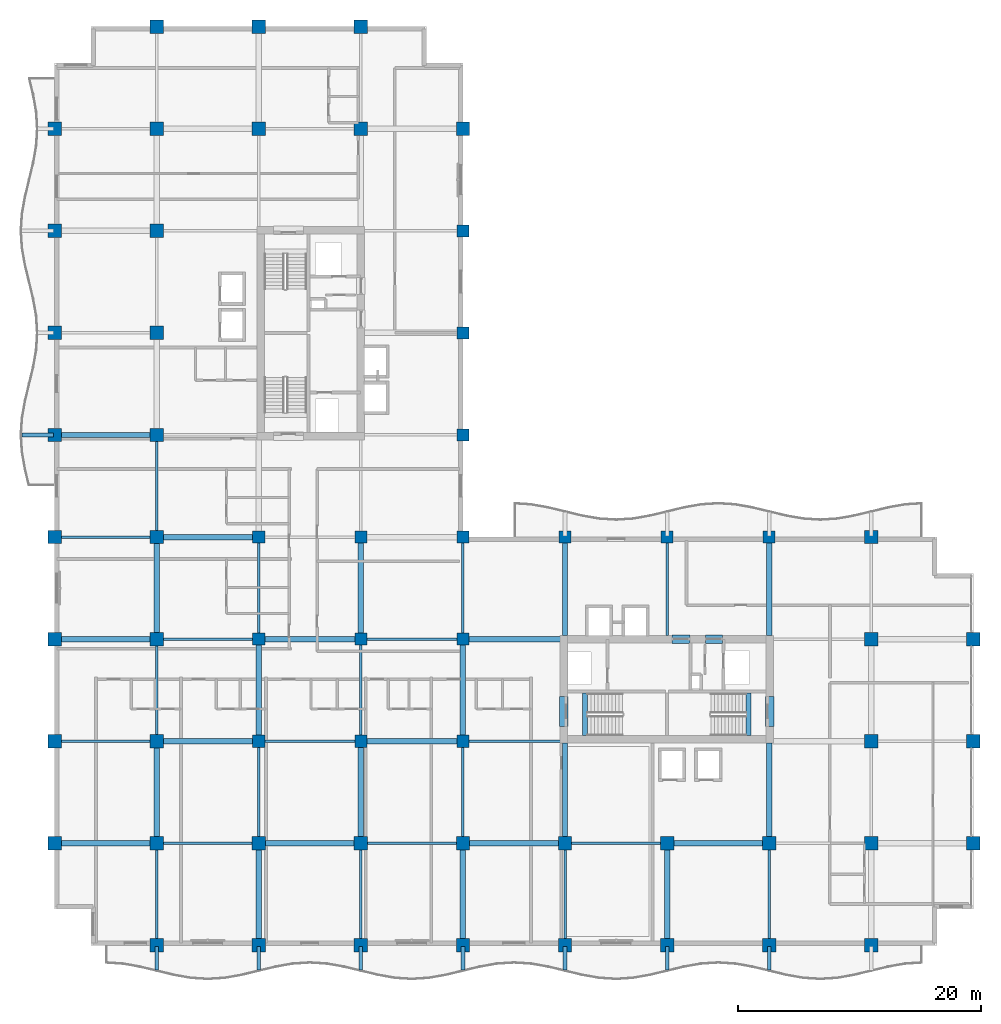
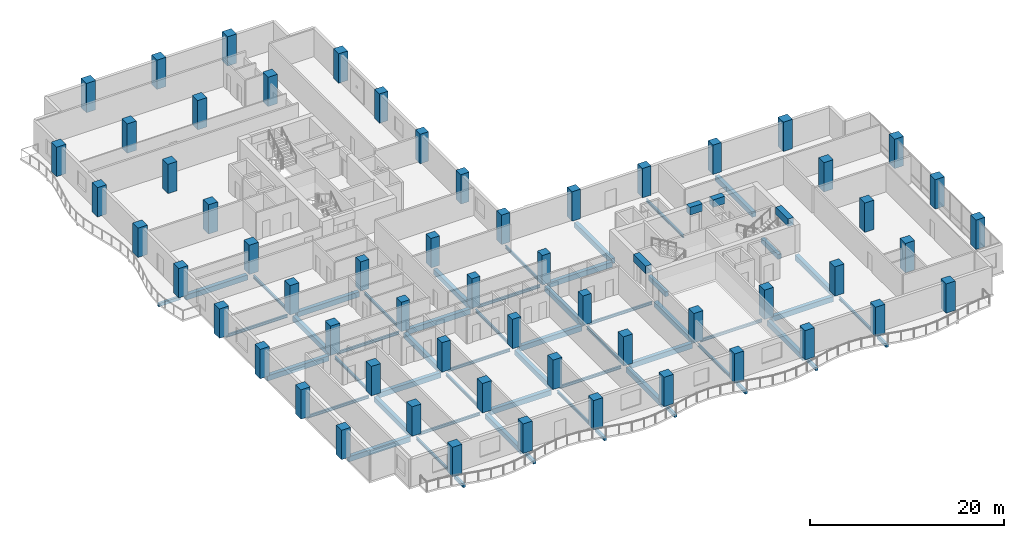
# One storey, part 1 of 21: 59 beams, 58 columns.
"""IFC4 building model written with IfcOpenShell, lengths in metres."""

from ifc_helpers import new_model, si_unit, direction, frame, origin, origin_2d, place, context, subcontext, project, spatial, rectangle, i_section, extrude, material, material_profile, profile_set, type_object, element, save


model = new_model("IFC4")

# Units and contexts
model_context = context("Model", 3, precision=1e-05, world=origin(), true_north=direction((0.0, 1.0)))
body_context = subcontext(model_context, "Body", "Model", "MODEL_VIEW")
ifc_project = project(units=[si_unit("LENGTHUNIT", "METRE"), si_unit("AREAUNIT", "SQUARE_METRE"), si_unit("VOLUMEUNIT", "CUBIC_METRE"), si_unit("PLANEANGLEUNIT", "RADIAN"), si_unit("MASSUNIT", "GRAM", prefix="KILO")], contexts=[model_context])

# Site, building, storey
site_placement = place(None, origin())
site = spatial("IfcSite", under=ifc_project, at=site_placement, CompositionType="ELEMENT")
building_placement = place(site_placement, origin())
building = spatial("IfcBuilding", under=site, at=building_placement, Name="Koriwani Terraces Tower", CompositionType="ELEMENT")
storey_placement = place(building_placement, frame((0.0, 0.0, 197.60009765625)))
storey = spatial("IfcBuildingStorey", under=building, at=storey_placement, Name="L48", CompositionType="ELEMENT", Elevation=197.60009765625)

# Columns
ifc_material_1 = material(Name="Concrete C50/60", Category="concrete")
ifc_material_profile_1 = material_profile(ifc_material_1, rectangle(XDim=1.0, YDim=1.0, at=origin_2d()), Name="Concrete C50/60", Category="LoadBearing")
ifc_profile_set_1 = profile_set([ifc_material_profile_1], Name="Concrete C50/60")
column_type_1 = type_object("IfcColumnType", Name="COL_RC_1000X1000", PredefinedType="COLUMN", material=ifc_profile_set_1)
for number, where, z_axis, x_axis, name in (
    (1, (16.800048828125, 16.800048828125, 0.0), (0.0, 0.0, 1.0), (1.0, 0.0, 0.0), "L48 Column 3/C"),
    (2, (16.800048828125, 25.199951171875, 0.0), (0.0, 0.0, 1.0), (1.0, 0.0, 0.0), "L48 Column 3/D"),
    (3, (16.800048828125, 33.60009765625, 0.0), (0.0, 0.0, 1.0), (1.0, 0.0, 0.0), "L48 Column 3/E"),
    (4, (25.199951171875, 16.800048828125, 0.0), (0.0, 0.0, 1.0), (1.0, 0.0, 0.0), "L48 Column 4/C"),
    (5, (25.199951171875, 25.199951171875, 0.0), (0.0, 0.0, 1.0), (1.0, 0.0, 0.0), "L48 Column 4/D"),
    (6, (25.199951171875, 33.60009765625, 0.0), (0.0, 0.0, 1.0), (1.0, 0.0, 0.0), "L48 Column 4/E"),
    (7, (33.60009765625, 16.800048828125, 0.0), (0.0, 0.0, 1.0), (1.0, 0.0, 0.0), "L48 Column 5/C"),
    (8, (33.60009765625, 25.199951171875, 0.0), (0.0, 0.0, 1.0), (1.0, 0.0, 0.0), "L48 Column 5/D"),
    (9, (33.60009765625, 33.60009765625, 0.0), (0.0, 0.0, 1.0), (1.0, 0.0, 0.0), "L48 Column 5/E"),
    (10, (33.60009765625, 42.0, 0.0), (0.0, 0.0, 1.0), (1.0, 0.0, 0.0), "L48 Column 5/F"),
    (11, (33.60009765625, 50.39990234375, 0.0), (0.0, 0.0, 1.0), (1.0, 0.0, 0.0), "L48 Column 5/G"),
    (12, (33.60009765625, 58.800048828125, 0.0), (0.0, 0.0, 1.0), (1.0, 0.0, 0.0), "L48 Column 5/H"),
    (13, (42.0, 33.60009765625, 0.0), (0.0, 0.0, 1.0), (1.0, 0.0, 0.0), "L48 Column 6/E"),
    (14, (50.39990234375, 33.60009765625, 0.0), (0.0, 0.0, 1.0), (1.0, 0.0, 0.0), "L48 Column 7/E"),
    (15, (58.800048828125, 33.60009765625, 0.0), (0.0, 0.0, 1.0), (1.0, 0.0, 0.0), "L48 Column 8/E"),
):
    element("IfcColumn", number, at=place(storey_placement, frame(where, z_axis=z_axis, x_axis=x_axis)), inside=storey, type_object=column_type_1, Name=name, PredefinedType="COLUMN", context=body_context, shape_type="SweptSolid", body=[
        extrude(rectangle(XDim=1.0, YDim=1.0, at=origin_2d()), origin(), (0.0, 0.0, 1.0), 3.699951171875),
    ])
ifc_material_profile_2 = material_profile(ifc_material_1, rectangle(XDim=1.10009765625, YDim=1.10009765625, at=origin_2d()), Name="Concrete C50/60", Category="LoadBearing")
ifc_profile_set_2 = profile_set([ifc_material_profile_2], Name="Concrete C50/60")
column_type_2 = type_object("IfcColumnType", Name="COL_RC_1100X1100", PredefinedType="COLUMN", material=ifc_profile_set_2)
for number, where, z_axis, x_axis, name in (
    (16, (0.0, 8.39990234375, 0.0), (0.0, 0.0, 1.0), (1.0, 0.0, 0.0), "L48 Column 1/B"),
    (17, (0.0, 16.800048828125, 0.0), (0.0, 0.0, 1.0), (1.0, 0.0, 0.0), "L48 Column 1/C"),
    (18, (0.0, 25.199951171875, 0.0), (0.0, 0.0, 1.0), (1.0, 0.0, 0.0), "L48 Column 1/D"),
    (19, (0.0, 33.60009765625, 0.0), (0.0, 0.0, 1.0), (1.0, 0.0, 0.0), "L48 Column 1/E"),
    (20, (0.0, 42.0, 0.0), (0.0, 0.0, 1.0), (1.0, 0.0, 0.0), "L48 Column 1/F"),
    (21, (0.0, 50.39990234375, 0.0), (0.0, 0.0, 1.0), (1.0, 0.0, 0.0), "L48 Column 1/G"),
    (22, (0.0, 58.800048828125, 0.0), (0.0, 0.0, 1.0), (1.0, 0.0, 0.0), "L48 Column 1/H"),
    (23, (0.0, 67.199951171875, 0.0), (0.0, 0.0, 1.0), (1.0, 0.0, 0.0), "L48 Column 1/I"),
    (24, (8.39990234375, 0.0, 0.0), (0.0, 0.0, 1.0), (1.0, 0.0, 0.0), "L48 Column 2/A"),
    (25, (8.39990234375, 8.39990234375, 0.0), (0.0, 0.0, 1.0), (1.0, 0.0, 0.0), "L48 Column 2/B"),
    (26, (8.39990234375, 16.800048828125, 0.0), (0.0, 0.0, 1.0), (1.0, 0.0, 0.0), "L48 Column 2/C"),
    (27, (8.39990234375, 25.199951171875, 0.0), (0.0, 0.0, 1.0), (1.0, 0.0, 0.0), "L48 Column 2/D"),
    (28, (8.39990234375, 33.60009765625, 0.0), (0.0, 0.0, 1.0), (1.0, 0.0, 0.0), "L48 Column 2/E"),
    (29, (8.39990234375, 42.0, 0.0), (0.0, 0.0, 1.0), (1.0, 0.0, 0.0), "L48 Column 2/F"),
    (30, (8.39990234375, 50.39990234375, 0.0), (0.0, 0.0, 1.0), (1.0, 0.0, 0.0), "L48 Column 2/G"),
    (31, (8.39990234375, 58.800048828125, 0.0), (0.0, 0.0, 1.0), (1.0, 0.0, 0.0), "L48 Column 2/H"),
    (32, (8.39990234375, 67.199951171875, 0.0), (0.0, 0.0, 1.0), (1.0, 0.0, 0.0), "L48 Column 2/I"),
    (33, (8.39990234375, 75.60009765625, 0.0), (0.0, 0.0, 1.0), (1.0, 0.0, 0.0), "L48 Column 2/J"),
    (34, (16.800048828125, 0.0, 0.0), (0.0, 0.0, 1.0), (1.0, 0.0, 0.0), "L48 Column 3/A"),
    (35, (16.800048828125, 8.39990234375, 0.0), (0.0, 0.0, 1.0), (1.0, 0.0, 0.0), "L48 Column 3/B"),
    (36, (16.800048828125, 67.199951171875, 0.0), (0.0, 0.0, 1.0), (1.0, 0.0, 0.0), "L48 Column 3/I"),
    (37, (16.800048828125, 75.60009765625, 0.0), (0.0, 0.0, 1.0), (1.0, 0.0, 0.0), "L48 Column 3/J"),
    (38, (25.199951171875, 0.0, 0.0), (0.0, 0.0, 1.0), (1.0, 0.0, 0.0), "L48 Column 4/A"),
    (39, (25.199951171875, 8.39990234375, 0.0), (0.0, 0.0, 1.0), (1.0, 0.0, 0.0), "L48 Column 4/B"),
    (40, (25.199951171875, 67.199951171875, 0.0), (0.0, 0.0, 1.0), (1.0, 0.0, 0.0), "L48 Column 4/I"),
    (41, (25.199951171875, 75.60009765625, 0.0), (0.0, 0.0, 1.0), (1.0, 0.0, 0.0), "L48 Column 4/J"),
    (42, (33.60009765625, 0.0, 0.0), (0.0, 0.0, 1.0), (1.0, 0.0, 0.0), "L48 Column 5/A"),
    (43, (33.60009765625, 8.39990234375, 0.0), (0.0, 0.0, 1.0), (1.0, 0.0, 0.0), "L48 Column 5/B"),
    (44, (33.60009765625, 67.199951171875, 0.0), (0.0, 0.0, 1.0), (1.0, 0.0, 0.0), "L48 Column 5/I"),
    (45, (42.0, 0.0, 0.0), (0.0, 0.0, 1.0), (1.0, 0.0, 0.0), "L48 Column 6/A"),
    (46, (42.0, 8.39990234375, 0.0), (0.0, 0.0, 1.0), (1.0, 0.0, 0.0), "L48 Column 6/B"),
    (47, (50.39990234375, 0.0, 0.0), (0.0, 0.0, 1.0), (1.0, 0.0, 0.0), "L48 Column 7/A"),
    (48, (50.39990234375, 8.39990234375, 0.0), (0.0, 0.0, 1.0), (1.0, 0.0, 0.0), "L48 Column 7/B"),
    (49, (58.800048828125, 0.0, 0.0), (0.0, 0.0, 1.0), (1.0, 0.0, 0.0), "L48 Column 8/A"),
    (50, (58.800048828125, 8.39990234375, 0.0), (0.0, 0.0, 1.0), (1.0, 0.0, 0.0), "L48 Column 8/B"),
    (51, (67.199951171875, 0.0, 0.0), (0.0, 0.0, 1.0), (1.0, 0.0, 0.0), "L48 Column 9/A"),
    (52, (67.199951171875, 8.39990234375, 0.0), (0.0, 0.0, 1.0), (1.0, 0.0, 0.0), "L48 Column 9/B"),
    (53, (67.199951171875, 16.800048828125, 0.0), (0.0, 0.0, 1.0), (1.0, 0.0, 0.0), "L48 Column 9/C"),
    (54, (67.199951171875, 25.199951171875, 0.0), (0.0, 0.0, 1.0), (1.0, 0.0, 0.0), "L48 Column 9/D"),
    (55, (67.199951171875, 33.60009765625, 0.0), (0.0, 0.0, 1.0), (1.0, 0.0, 0.0), "L48 Column 9/E"),
    (56, (75.60009765625, 8.39990234375, 0.0), (0.0, 0.0, 1.0), (1.0, 0.0, 0.0), "L48 Column 10/B"),
    (57, (75.60009765625, 16.800048828125, 0.0), (0.0, 0.0, 1.0), (1.0, 0.0, 0.0), "L48 Column 10/C"),
    (58, (75.60009765625, 25.199951171875, 0.0), (0.0, 0.0, 1.0), (1.0, 0.0, 0.0), "L48 Column 10/D"),
):
    element("IfcColumn", number, at=place(storey_placement, frame(where, z_axis=z_axis, x_axis=x_axis)), inside=storey, type_object=column_type_2, Name=name, PredefinedType="COLUMN", context=body_context, shape_type="SweptSolid", body=[
        extrude(rectangle(XDim=1.10009765625, YDim=1.10009765625, at=origin_2d()), origin(), (0.0, 0.0, 1.0), 3.699951171875),
    ])

# Beams
ifc_material_2 = material(Name="Concrete C40/50", Category="concrete")
ifc_material_profile_3 = material_profile(ifc_material_2, rectangle(XDim=0.300048828125, YDim=0.39990234375, at=origin_2d()), Name="Concrete C40/50", Category="LoadBearing")
ifc_profile_set_3 = profile_set([ifc_material_profile_3], Name="Concrete C40/50")
beam_type_1 = type_object("IfcBeamType", Name="BEAM_RC_BALCONY_RIB_300X400", PredefinedType="JOIST", material=ifc_profile_set_3)
for number, where, z_axis, x_axis, name in (
    (59, (8.39990234375, -2.02490234375, -0.43017578125), (0.0, 1.0, 0.0), (-1.0, 0.0, 0.0), "L48 Balcony Bracket Rib S-1"),
    (60, (16.800048828125, -2.02490234375, -0.43017578125), (0.0, 1.0, 0.0), (-1.0, 0.0, 0.0), "L48 Balcony Bracket Rib S-2"),
    (61, (25.199951171875, -2.02490234375, -0.43017578125), (0.0, 1.0, 0.0), (-1.0, 0.0, 0.0), "L48 Balcony Bracket Rib S-3"),
    (62, (33.60009765625, -2.02490234375, -0.43017578125), (0.0, 1.0, 0.0), (-1.0, 0.0, 0.0), "L48 Balcony Bracket Rib S-4"),
    (63, (42.0, -2.02490234375, -0.43017578125), (0.0, 1.0, 0.0), (-1.0, 0.0, 0.0), "L48 Balcony Bracket Rib S-5"),
    (64, (50.39990234375, -2.02490234375, -0.43017578125), (0.0, 1.0, 0.0), (-1.0, 0.0, 0.0), "L48 Balcony Bracket Rib S-6"),
    (65, (58.800048828125, -2.02490234375, -0.43017578125), (0.0, 1.0, 0.0), (-1.0, 0.0, 0.0), "L48 Balcony Bracket Rib S-7"),
):
    element("IfcBeam", number, at=place(storey_placement, frame(where, z_axis=z_axis, x_axis=x_axis)), inside=storey, type_object=beam_type_1, Name=name, PredefinedType="JOIST", context=body_context, shape_type="SweptSolid", body=[
        extrude(rectangle(XDim=0.300048828125, YDim=0.39990234375, at=origin_2d()), origin(), (0.0, 0.0, 1.0), 1.9248046875),
    ])
beam_1_placement = place(storey_placement, frame((-2.699951171875, 42.0, -0.43017578125), z_axis=(1.0, 0.0, 0.0), x_axis=(0.0, 1.0, 0.0)))
element("IfcBeam", 66, at=beam_1_placement, inside=storey, type_object=beam_type_1, Name="L48 Balcony Bracket Rib W-1", PredefinedType="JOIST", context=body_context, shape_type="SweptSolid", body=[
    extrude(rectangle(XDim=0.300048828125, YDim=0.39990234375, at=origin_2d()), origin(), (0.0, 0.0, 1.0), 2.599853515625),
])
ifc_material_3 = material(Name="Concrete C60/75", Category="concrete")
ifc_material_profile_4 = material_profile(ifc_material_3, rectangle(XDim=0.699951171875, YDim=0.949951171875, at=origin_2d()), Name="Concrete C60/75", Category="LoadBearing")
ifc_profile_set_4 = profile_set([ifc_material_profile_4], Name="Concrete C60/75")
beam_type_2 = type_object("IfcBeamType", Name="BEAM_RC_COUPLING_700X950", PredefinedType="LINTEL", material=ifc_profile_set_4)
beam_2_placement = place(storey_placement, frame((50.800048828125, 25.199951171875, 2.994873046875), z_axis=(1.0, 0.0, 0.0), x_axis=(0.0, 1.0, 0.0)))
element("IfcBeam", 67, at=beam_2_placement, inside=storey, type_object=beam_type_2, Name="L48 Core Coupling Lintel Beam EN1", PredefinedType="LINTEL", context=body_context, shape_type="SweptSolid", body=[
    extrude(rectangle(XDim=0.699951171875, YDim=0.949951171875, at=origin_2d()), origin(), (0.0, 0.0, 1.0), 1.47998046875),
])
beam_3_placement = place(storey_placement, frame((53.550048828125, 25.199951171875, 2.994873046875), z_axis=(1.0, 0.0, 0.0), x_axis=(0.0, 1.0, 0.0)))
element("IfcBeam", 68, at=beam_3_placement, inside=storey, type_object=beam_type_2, Name="L48 Core Coupling Lintel Beam EN2", PredefinedType="LINTEL", context=body_context, shape_type="SweptSolid", body=[
    extrude(rectangle(XDim=0.699951171875, YDim=0.949951171875, at=origin_2d()), origin(), (0.0, 0.0, 1.0), 1.39990234375),
])
for number, where, z_axis, x_axis, name in (
    (69, (41.89990234375, 18.0, 2.994873046875), (0.0, 1.0, 0.0), (-1.0, 0.0, 0.0), "L48 Core Coupling Lintel Beam EW"),
    (70, (58.85009765625, 18.0, 2.994873046875), (0.0, 1.0, 0.0), (-1.0, 0.0, 0.0), "L48 Core Coupling Lintel Beam EE"),
):
    element("IfcBeam", number, at=place(storey_placement, frame(where, z_axis=z_axis, x_axis=x_axis)), inside=storey, type_object=beam_type_2, Name=name, PredefinedType="LINTEL", context=body_context, shape_type="SweptSolid", body=[
        extrude(rectangle(XDim=0.699951171875, YDim=0.949951171875, at=origin_2d()), origin(), (0.0, 0.0, 1.0), 2.5),
    ])
ifc_material_profile_5 = material_profile(ifc_material_2, rectangle(XDim=0.39990234375, YDim=0.60009765625, at=origin_2d()), Name="Concrete C40/50", Category="LoadBearing")
ifc_profile_set_5 = profile_set([ifc_material_profile_5], Name="Concrete C40/50")
beam_type_3 = type_object("IfcBeamType", Name="BEAM_RC_GRID_400X600", PredefinedType="BEAM", material=ifc_profile_set_5)
for number, where, z_axis, x_axis, name in (
    (71, (43.655029296875, 17.25, -0.300048828125), (0.0, 1.0, 0.0), (-1.0, 0.0, 0.0), "L48 Stairwell Header Trimmer Beam ST-E1"),
    (72, (57.094970703125, 17.25, -0.300048828125), (0.0, 1.0, 0.0), (-1.0, 0.0, 0.0), "L48 Stairwell Header Trimmer Beam ST-E2"),
):
    element("IfcBeam", number, at=place(storey_placement, frame(where, z_axis=z_axis, x_axis=x_axis)), inside=storey, type_object=beam_type_3, Name=name, PredefinedType="BEAM", context=body_context, shape_type="SweptSolid", body=[
        extrude(rectangle(XDim=0.39990234375, YDim=0.60009765625, at=origin_2d()), origin(), (0.0, 0.0, 1.0), 3.5),
    ])
ifc_material_profile_6 = material_profile(ifc_material_1, rectangle(XDim=0.449951171875, YDim=0.64990234375, at=origin_2d()), Name="Concrete C50/60", Category="LoadBearing")
ifc_profile_set_6 = profile_set([ifc_material_profile_6], Name="Concrete C50/60")
beam_type_4 = type_object("IfcBeamType", Name="BEAM_RC_GRID_450X650", PredefinedType="BEAM", material=ifc_profile_set_6)
beam_4_placement = place(storey_placement, frame((0.530029296875, 8.39990234375, -0.55517578125), z_axis=(1.0, 0.0, 0.0), x_axis=(0.0, 1.0, 0.0)))
element("IfcBeam", 73, at=beam_4_placement, inside=storey, type_object=beam_type_4, Name="L48 Grid Beam B (0.0-8.4m)", PredefinedType="BEAM", context=body_context, shape_type="SweptSolid", body=[
    extrude(rectangle(XDim=0.449951171875, YDim=0.64990234375, at=origin_2d()), origin(), (0.0, 0.0, 1.0), 7.340087890625),
])
beam_5_placement = place(storey_placement, frame((17.330078125, 8.39990234375, -0.55517578125), z_axis=(1.0, 0.0, 0.0), x_axis=(0.0, 1.0, 0.0)))
element("IfcBeam", 74, at=beam_5_placement, inside=storey, type_object=beam_type_4, Name="L48 Grid Beam B (16.8-25.2m)", PredefinedType="BEAM", context=body_context, shape_type="SweptSolid", body=[
    extrude(rectangle(XDim=0.449951171875, YDim=0.64990234375, at=origin_2d()), origin(), (0.0, 0.0, 1.0), 7.33984375),
])
for number, where, z_axis, x_axis, name in (
    (75, (34.1298828125, 8.39990234375, -0.55517578125), (1.0, 0.0, 0.0), (0.0, 1.0, 0.0), "L48 Grid Beam B (33.6-42.0m)"),
    (76, (50.929931640625, 8.39990234375, -0.55517578125), (1.0, 0.0, 0.0), (0.0, 1.0, 0.0), "L48 Grid Beam B (50.4-58.8m)"),
):
    element("IfcBeam", number, at=place(storey_placement, frame(where, z_axis=z_axis, x_axis=x_axis)), inside=storey, type_object=beam_type_4, Name=name, PredefinedType="BEAM", context=body_context, shape_type="SweptSolid", body=[
        extrude(rectangle(XDim=0.449951171875, YDim=0.64990234375, at=origin_2d()), origin(), (0.0, 0.0, 1.0), 7.340087890625),
    ])
beam_6_placement = place(storey_placement, frame((8.929931640625, 16.800048828125, -0.55517578125), z_axis=(1.0, 0.0, 0.0), x_axis=(0.0, 1.0, 0.0)))
element("IfcBeam", 77, at=beam_6_placement, inside=storey, type_object=beam_type_4, Name="L48 Grid Beam C (8.4-16.8m)", PredefinedType="BEAM", context=body_context, shape_type="SweptSolid", body=[
    extrude(rectangle(XDim=0.449951171875, YDim=0.64990234375, at=origin_2d()), origin(), (0.0, 0.0, 1.0), 7.39013671875),
])
beam_7_placement = place(storey_placement, frame((25.679931640625, 16.800048828125, -0.55517578125), z_axis=(1.0, 0.0, 0.0), x_axis=(0.0, 1.0, 0.0)))
element("IfcBeam", 78, at=beam_7_placement, inside=storey, type_object=beam_type_4, Name="L48 Grid Beam C (25.2-33.6m)", PredefinedType="BEAM", context=body_context, shape_type="SweptSolid", body=[
    extrude(rectangle(XDim=0.449951171875, YDim=0.64990234375, at=origin_2d()), origin(), (0.0, 0.0, 1.0), 7.440185546875),
])
beam_8_placement = place(storey_placement, frame((0.530029296875, 25.199951171875, -0.55517578125), z_axis=(1.0, 0.0, 0.0), x_axis=(0.0, 1.0, 0.0)))
element("IfcBeam", 79, at=beam_8_placement, inside=storey, type_object=beam_type_4, Name="L48 Grid Beam D (0.0-8.4m)", PredefinedType="BEAM", context=body_context, shape_type="SweptSolid", body=[
    extrude(rectangle(XDim=0.449951171875, YDim=0.64990234375, at=origin_2d()), origin(), (0.0, 0.0, 1.0), 7.340087890625),
])
beam_9_placement = place(storey_placement, frame((17.280029296875, 25.199951171875, -0.55517578125), z_axis=(1.0, 0.0, 0.0), x_axis=(0.0, 1.0, 0.0)))
element("IfcBeam", 80, at=beam_9_placement, inside=storey, type_object=beam_type_4, Name="L48 Grid Beam D (16.8-25.2m)", PredefinedType="BEAM", context=body_context, shape_type="SweptSolid", body=[
    extrude(rectangle(XDim=0.449951171875, YDim=0.64990234375, at=origin_2d()), origin(), (0.0, 0.0, 1.0), 7.43994140625),
])
beam_10_placement = place(storey_placement, frame((34.080078125, 25.199951171875, -0.55517578125), z_axis=(1.0, 0.0, 0.0), x_axis=(0.0, 1.0, 0.0)))
element("IfcBeam", 81, at=beam_10_placement, inside=storey, type_object=beam_type_4, Name="L48 Grid Beam D (33.6-42.0m)", PredefinedType="BEAM", context=body_context, shape_type="SweptSolid", body=[
    extrude(rectangle(XDim=0.449951171875, YDim=0.64990234375, at=origin_2d()), origin(), (0.0, 0.0, 1.0), 7.5400390625),
])
beam_11_placement = place(storey_placement, frame((8.929931640625, 33.60009765625, -0.55517578125), z_axis=(1.0, 0.0, 0.0), x_axis=(0.0, 1.0, 0.0)))
element("IfcBeam", 82, at=beam_11_placement, inside=storey, type_object=beam_type_4, Name="L48 Grid Beam E (8.4-16.8m)", PredefinedType="BEAM", context=body_context, shape_type="SweptSolid", body=[
    extrude(rectangle(XDim=0.449951171875, YDim=0.64990234375, at=origin_2d()), origin(), (0.0, 0.0, 1.0), 7.39013671875),
])
for number, where, z_axis, x_axis, name in (
    (83, (0.530029296875, 42.0, -0.55517578125), (1.0, 0.0, 0.0), (0.0, 1.0, 0.0), "L48 Grid Beam F (0.0-8.4m)"),
    (84, (8.39990234375, 8.929931640625, -0.55517578125), (0.0, 1.0, 0.0), (-1.0, 0.0, 0.0), "L48 Grid Beam 2 (8.4-16.8m)"),
    (85, (8.39990234375, 25.72998046875, -0.55517578125), (0.0, 1.0, 0.0), (-1.0, 0.0, 0.0), "L48 Grid Beam 2 (25.2-33.6m)"),
    (86, (16.800048828125, 0.530029296875, -0.55517578125), (0.0, 1.0, 0.0), (-1.0, 0.0, 0.0), "L48 Grid Beam 3 (0.0-8.4m)"),
):
    element("IfcBeam", number, at=place(storey_placement, frame(where, z_axis=z_axis, x_axis=x_axis)), inside=storey, type_object=beam_type_4, Name=name, PredefinedType="BEAM", context=body_context, shape_type="SweptSolid", body=[
        extrude(rectangle(XDim=0.449951171875, YDim=0.64990234375, at=origin_2d()), origin(), (0.0, 0.0, 1.0), 7.340087890625),
    ])
beam_12_placement = place(storey_placement, frame((16.800048828125, 17.280029296875, -0.55517578125), z_axis=(0.0, 1.0, 0.0), x_axis=(-1.0, 0.0, 0.0)))
element("IfcBeam", 87, at=beam_12_placement, inside=storey, type_object=beam_type_4, Name="L48 Grid Beam 3 (16.8-25.2m)", PredefinedType="BEAM", context=body_context, shape_type="SweptSolid", body=[
    extrude(rectangle(XDim=0.449951171875, YDim=0.64990234375, at=origin_2d()), origin(), (0.0, 0.0, 1.0), 7.43994140625),
])
beam_13_placement = place(storey_placement, frame((25.199951171875, 8.929931640625, -0.55517578125), z_axis=(0.0, 1.0, 0.0), x_axis=(-1.0, 0.0, 0.0)))
element("IfcBeam", 88, at=beam_13_placement, inside=storey, type_object=beam_type_4, Name="L48 Grid Beam 4 (8.4-16.8m)", PredefinedType="BEAM", context=body_context, shape_type="SweptSolid", body=[
    extrude(rectangle(XDim=0.449951171875, YDim=0.64990234375, at=origin_2d()), origin(), (0.0, 0.0, 1.0), 7.39013671875),
])
beam_14_placement = place(storey_placement, frame((25.199951171875, 25.679931640625, -0.55517578125), z_axis=(0.0, 1.0, 0.0), x_axis=(-1.0, 0.0, 0.0)))
element("IfcBeam", 89, at=beam_14_placement, inside=storey, type_object=beam_type_4, Name="L48 Grid Beam 4 (25.2-33.6m)", PredefinedType="BEAM", context=body_context, shape_type="SweptSolid", body=[
    extrude(rectangle(XDim=0.449951171875, YDim=0.64990234375, at=origin_2d()), origin(), (0.0, 0.0, 1.0), 7.440185546875),
])
beam_15_placement = place(storey_placement, frame((33.60009765625, 0.530029296875, -0.55517578125), z_axis=(0.0, 1.0, 0.0), x_axis=(-1.0, 0.0, 0.0)))
element("IfcBeam", 90, at=beam_15_placement, inside=storey, type_object=beam_type_4, Name="L48 Grid Beam 5 (0.0-8.4m)", PredefinedType="BEAM", context=body_context, shape_type="SweptSolid", body=[
    extrude(rectangle(XDim=0.449951171875, YDim=0.64990234375, at=origin_2d()), origin(), (0.0, 0.0, 1.0), 7.340087890625),
])
beam_16_placement = place(storey_placement, frame((33.60009765625, 17.280029296875, -0.55517578125), z_axis=(0.0, 1.0, 0.0), x_axis=(-1.0, 0.0, 0.0)))
element("IfcBeam", 91, at=beam_16_placement, inside=storey, type_object=beam_type_4, Name="L48 Grid Beam 5 (16.8-25.2m)", PredefinedType="BEAM", context=body_context, shape_type="SweptSolid", body=[
    extrude(rectangle(XDim=0.449951171875, YDim=0.64990234375, at=origin_2d()), origin(), (0.0, 0.0, 1.0), 7.43994140625),
])
beam_17_placement = place(storey_placement, frame((42.0, 8.929931640625, -0.55517578125), z_axis=(0.0, 1.0, 0.0), x_axis=(-1.0, 0.0, 0.0)))
element("IfcBeam", 92, at=beam_17_placement, inside=storey, type_object=beam_type_4, Name="L48 Grid Beam 6 (8.4-16.8m)", PredefinedType="BEAM", context=body_context, shape_type="SweptSolid", body=[
    extrude(rectangle(XDim=0.449951171875, YDim=0.64990234375, at=origin_2d()), origin(), (0.0, 0.0, 1.0), 7.739990234375),
])
beam_18_placement = place(storey_placement, frame((42.0, 25.47998046875, -0.55517578125), z_axis=(0.0, 1.0, 0.0), x_axis=(-1.0, 0.0, 0.0)))
element("IfcBeam", 93, at=beam_18_placement, inside=storey, type_object=beam_type_4, Name="L48 Grid Beam 6 (25.2-33.6m)", PredefinedType="BEAM", context=body_context, shape_type="SweptSolid", body=[
    extrude(rectangle(XDim=0.449951171875, YDim=0.64990234375, at=origin_2d()), origin(), (0.0, 0.0, 1.0), 7.64013671875),
])
beam_19_placement = place(storey_placement, frame((50.39990234375, 0.530029296875, -0.55517578125), z_axis=(0.0, 1.0, 0.0), x_axis=(-1.0, 0.0, 0.0)))
element("IfcBeam", 94, at=beam_19_placement, inside=storey, type_object=beam_type_4, Name="L48 Grid Beam 7 (0.0-8.4m)", PredefinedType="BEAM", context=body_context, shape_type="SweptSolid", body=[
    extrude(rectangle(XDim=0.449951171875, YDim=0.64990234375, at=origin_2d()), origin(), (0.0, 0.0, 1.0), 7.340087890625),
])
beam_20_placement = place(storey_placement, frame((58.800048828125, 8.929931640625, -0.55517578125), z_axis=(0.0, 1.0, 0.0), x_axis=(-1.0, 0.0, 0.0)))
element("IfcBeam", 95, at=beam_20_placement, inside=storey, type_object=beam_type_4, Name="L48 Grid Beam 8 (8.4-16.8m)", PredefinedType="BEAM", context=body_context, shape_type="SweptSolid", body=[
    extrude(rectangle(XDim=0.449951171875, YDim=0.64990234375, at=origin_2d()), origin(), (0.0, 0.0, 1.0), 7.739990234375),
])
beam_21_placement = place(storey_placement, frame((58.800048828125, 25.47998046875, -0.55517578125), z_axis=(0.0, 1.0, 0.0), x_axis=(-1.0, 0.0, 0.0)))
element("IfcBeam", 96, at=beam_21_placement, inside=storey, type_object=beam_type_4, Name="L48 Grid Beam 8 (25.2-33.6m)", PredefinedType="BEAM", context=body_context, shape_type="SweptSolid", body=[
    extrude(rectangle(XDim=0.449951171875, YDim=0.64990234375, at=origin_2d()), origin(), (0.0, 0.0, 1.0), 7.64013671875),
])
ifc_material_4 = material(Name="Steel ASTM A572 Grade 50", Category="steel")
ifc_material_profile_7 = material_profile(ifc_material_4, i_section(OverallWidth=0.205078125, OverallDepth=0.35400390625, WebThickness=0.009521484375, FlangeThickness=0.016845703125, at=origin_2d()), Name="Steel ASTM A572 Grade 50", Category="LoadBearing")
ifc_profile_set_7 = profile_set([ifc_material_profile_7], Name="Steel ASTM A572 Grade 50")
beam_type_5 = type_object("IfcBeamType", Name="STEEL_BEAM_W360X79", PredefinedType="JOIST", material=ifc_profile_set_7)
for number, where, z_axis, x_axis, name in (
    (97, (8.929931640625, 8.39990234375, -0.406982421875), (1.0, 0.0, 0.0), (0.0, 1.0, 0.0), "L48 Grid Beam B (8.4-16.8m)"),
    (98, (25.72998046875, 8.39990234375, -0.406982421875), (1.0, 0.0, 0.0), (0.0, 1.0, 0.0), "L48 Grid Beam B (25.2-33.6m)"),
    (99, (42.530029296875, 8.39990234375, -0.406982421875), (1.0, 0.0, 0.0), (0.0, 1.0, 0.0), "L48 Grid Beam B (42.0-50.4m)"),
    (100, (0.530029296875, 16.800048828125, -0.406982421875), (1.0, 0.0, 0.0), (0.0, 1.0, 0.0), "L48 Grid Beam C (0.0-8.4m)"),
):
    element("IfcBeam", number, at=place(storey_placement, frame(where, z_axis=z_axis, x_axis=x_axis)), inside=storey, type_object=beam_type_5, Name=name, PredefinedType="JOIST", context=body_context, shape_type="SweptSolid", body=[
        extrude(i_section(OverallWidth=0.205078125, OverallDepth=0.35400390625, WebThickness=0.009521484375, FlangeThickness=0.016845703125, at=origin_2d()), origin(), (0.0, 0.0, 1.0), 7.340087890625),
    ])
beam_22_placement = place(storey_placement, frame((17.280029296875, 16.800048828125, -0.406982421875), z_axis=(1.0, 0.0, 0.0), x_axis=(0.0, 1.0, 0.0)))
element("IfcBeam", 101, at=beam_22_placement, inside=storey, type_object=beam_type_5, Name="L48 Grid Beam C (16.8-25.2m)", PredefinedType="JOIST", context=body_context, shape_type="SweptSolid", body=[
    extrude(i_section(OverallWidth=0.205078125, OverallDepth=0.35400390625, WebThickness=0.009521484375, FlangeThickness=0.016845703125, at=origin_2d()), origin(), (0.0, 0.0, 1.0), 7.43994140625),
])
beam_23_placement = place(storey_placement, frame((34.080078125, 16.800048828125, -0.406982421875), z_axis=(1.0, 0.0, 0.0), x_axis=(0.0, 1.0, 0.0)))
element("IfcBeam", 102, at=beam_23_placement, inside=storey, type_object=beam_type_5, Name="L48 Grid Beam C (33.6-42.0m)", PredefinedType="JOIST", context=body_context, shape_type="SweptSolid", body=[
    extrude(i_section(OverallWidth=0.205078125, OverallDepth=0.35400390625, WebThickness=0.009521484375, FlangeThickness=0.016845703125, at=origin_2d()), origin(), (0.0, 0.0, 1.0), 7.5400390625),
])
beam_24_placement = place(storey_placement, frame((8.929931640625, 25.199951171875, -0.406982421875), z_axis=(1.0, 0.0, 0.0), x_axis=(0.0, 1.0, 0.0)))
element("IfcBeam", 103, at=beam_24_placement, inside=storey, type_object=beam_type_5, Name="L48 Grid Beam D (8.4-16.8m)", PredefinedType="JOIST", context=body_context, shape_type="SweptSolid", body=[
    extrude(i_section(OverallWidth=0.205078125, OverallDepth=0.35400390625, WebThickness=0.009521484375, FlangeThickness=0.016845703125, at=origin_2d()), origin(), (0.0, 0.0, 1.0), 7.39013671875),
])
beam_25_placement = place(storey_placement, frame((25.679931640625, 25.199951171875, -0.406982421875), z_axis=(1.0, 0.0, 0.0), x_axis=(0.0, 1.0, 0.0)))
element("IfcBeam", 104, at=beam_25_placement, inside=storey, type_object=beam_type_5, Name="L48 Grid Beam D (25.2-33.6m)", PredefinedType="JOIST", context=body_context, shape_type="SweptSolid", body=[
    extrude(i_section(OverallWidth=0.205078125, OverallDepth=0.35400390625, WebThickness=0.009521484375, FlangeThickness=0.016845703125, at=origin_2d()), origin(), (0.0, 0.0, 1.0), 7.440185546875),
])
for number, where, z_axis, x_axis, name in (
    (105, (0.530029296875, 33.60009765625, -0.406982421875), (1.0, 0.0, 0.0), (0.0, 1.0, 0.0), "L48 Grid Beam E (0.0-8.4m)"),
    (106, (8.39990234375, 0.530029296875, -0.406982421875), (0.0, 1.0, 0.0), (-1.0, 0.0, 0.0), "L48 Grid Beam 2 (0.0-8.4m)"),
):
    element("IfcBeam", number, at=place(storey_placement, frame(where, z_axis=z_axis, x_axis=x_axis)), inside=storey, type_object=beam_type_5, Name=name, PredefinedType="JOIST", context=body_context, shape_type="SweptSolid", body=[
        extrude(i_section(OverallWidth=0.205078125, OverallDepth=0.35400390625, WebThickness=0.009521484375, FlangeThickness=0.016845703125, at=origin_2d()), origin(), (0.0, 0.0, 1.0), 7.340087890625),
    ])
beam_26_placement = place(storey_placement, frame((8.39990234375, 17.330078125, -0.406982421875), z_axis=(0.0, 1.0, 0.0), x_axis=(-1.0, 0.0, 0.0)))
element("IfcBeam", 107, at=beam_26_placement, inside=storey, type_object=beam_type_5, Name="L48 Grid Beam 2 (16.8-25.2m)", PredefinedType="JOIST", context=body_context, shape_type="SweptSolid", body=[
    extrude(i_section(OverallWidth=0.205078125, OverallDepth=0.35400390625, WebThickness=0.009521484375, FlangeThickness=0.016845703125, at=origin_2d()), origin(), (0.0, 0.0, 1.0), 7.33984375),
])
beam_27_placement = place(storey_placement, frame((8.39990234375, 34.1298828125, -0.406982421875), z_axis=(0.0, 1.0, 0.0), x_axis=(-1.0, 0.0, 0.0)))
element("IfcBeam", 108, at=beam_27_placement, inside=storey, type_object=beam_type_5, Name="L48 Grid Beam 2 (33.6-42.0m)", PredefinedType="JOIST", context=body_context, shape_type="SweptSolid", body=[
    extrude(i_section(OverallWidth=0.205078125, OverallDepth=0.35400390625, WebThickness=0.009521484375, FlangeThickness=0.016845703125, at=origin_2d()), origin(), (0.0, 0.0, 1.0), 7.340087890625),
])
beam_28_placement = place(storey_placement, frame((16.800048828125, 8.929931640625, -0.406982421875), z_axis=(0.0, 1.0, 0.0), x_axis=(-1.0, 0.0, 0.0)))
element("IfcBeam", 109, at=beam_28_placement, inside=storey, type_object=beam_type_5, Name="L48 Grid Beam 3 (8.4-16.8m)", PredefinedType="JOIST", context=body_context, shape_type="SweptSolid", body=[
    extrude(i_section(OverallWidth=0.205078125, OverallDepth=0.35400390625, WebThickness=0.009521484375, FlangeThickness=0.016845703125, at=origin_2d()), origin(), (0.0, 0.0, 1.0), 7.39013671875),
])
beam_29_placement = place(storey_placement, frame((16.800048828125, 25.679931640625, -0.406982421875), z_axis=(0.0, 1.0, 0.0), x_axis=(-1.0, 0.0, 0.0)))
element("IfcBeam", 110, at=beam_29_placement, inside=storey, type_object=beam_type_5, Name="L48 Grid Beam 3 (25.2-33.6m)", PredefinedType="JOIST", context=body_context, shape_type="SweptSolid", body=[
    extrude(i_section(OverallWidth=0.205078125, OverallDepth=0.35400390625, WebThickness=0.009521484375, FlangeThickness=0.016845703125, at=origin_2d()), origin(), (0.0, 0.0, 1.0), 7.440185546875),
])
beam_30_placement = place(storey_placement, frame((25.199951171875, 0.530029296875, -0.406982421875), z_axis=(0.0, 1.0, 0.0), x_axis=(-1.0, 0.0, 0.0)))
element("IfcBeam", 111, at=beam_30_placement, inside=storey, type_object=beam_type_5, Name="L48 Grid Beam 4 (0.0-8.4m)", PredefinedType="JOIST", context=body_context, shape_type="SweptSolid", body=[
    extrude(i_section(OverallWidth=0.205078125, OverallDepth=0.35400390625, WebThickness=0.009521484375, FlangeThickness=0.016845703125, at=origin_2d()), origin(), (0.0, 0.0, 1.0), 7.340087890625),
])
beam_31_placement = place(storey_placement, frame((25.199951171875, 17.280029296875, -0.406982421875), z_axis=(0.0, 1.0, 0.0), x_axis=(-1.0, 0.0, 0.0)))
element("IfcBeam", 112, at=beam_31_placement, inside=storey, type_object=beam_type_5, Name="L48 Grid Beam 4 (16.8-25.2m)", PredefinedType="JOIST", context=body_context, shape_type="SweptSolid", body=[
    extrude(i_section(OverallWidth=0.205078125, OverallDepth=0.35400390625, WebThickness=0.009521484375, FlangeThickness=0.016845703125, at=origin_2d()), origin(), (0.0, 0.0, 1.0), 7.43994140625),
])
beam_32_placement = place(storey_placement, frame((33.60009765625, 8.929931640625, -0.406982421875), z_axis=(0.0, 1.0, 0.0), x_axis=(-1.0, 0.0, 0.0)))
element("IfcBeam", 113, at=beam_32_placement, inside=storey, type_object=beam_type_5, Name="L48 Grid Beam 5 (8.4-16.8m)", PredefinedType="JOIST", context=body_context, shape_type="SweptSolid", body=[
    extrude(i_section(OverallWidth=0.205078125, OverallDepth=0.35400390625, WebThickness=0.009521484375, FlangeThickness=0.016845703125, at=origin_2d()), origin(), (0.0, 0.0, 1.0), 7.39013671875),
])
beam_33_placement = place(storey_placement, frame((33.60009765625, 25.679931640625, -0.406982421875), z_axis=(0.0, 1.0, 0.0), x_axis=(-1.0, 0.0, 0.0)))
element("IfcBeam", 114, at=beam_33_placement, inside=storey, type_object=beam_type_5, Name="L48 Grid Beam 5 (25.2-33.6m)", PredefinedType="JOIST", context=body_context, shape_type="SweptSolid", body=[
    extrude(i_section(OverallWidth=0.205078125, OverallDepth=0.35400390625, WebThickness=0.009521484375, FlangeThickness=0.016845703125, at=origin_2d()), origin(), (0.0, 0.0, 1.0), 7.440185546875),
])
beam_34_placement = place(storey_placement, frame((42.0, 0.530029296875, -0.406982421875), z_axis=(0.0, 1.0, 0.0), x_axis=(-1.0, 0.0, 0.0)))
element("IfcBeam", 115, at=beam_34_placement, inside=storey, type_object=beam_type_5, Name="L48 Grid Beam 6 (0.0-8.4m)", PredefinedType="JOIST", context=body_context, shape_type="SweptSolid", body=[
    extrude(i_section(OverallWidth=0.205078125, OverallDepth=0.35400390625, WebThickness=0.009521484375, FlangeThickness=0.016845703125, at=origin_2d()), origin(), (0.0, 0.0, 1.0), 7.340087890625),
])
beam_35_placement = place(storey_placement, frame((50.39990234375, 25.47998046875, -0.406982421875), z_axis=(0.0, 1.0, 0.0), x_axis=(-1.0, 0.0, 0.0)))
element("IfcBeam", 116, at=beam_35_placement, inside=storey, type_object=beam_type_5, Name="L48 Grid Beam 7 (25.2-33.6m)", PredefinedType="JOIST", context=body_context, shape_type="SweptSolid", body=[
    extrude(i_section(OverallWidth=0.205078125, OverallDepth=0.35400390625, WebThickness=0.009521484375, FlangeThickness=0.016845703125, at=origin_2d()), origin(), (0.0, 0.0, 1.0), 7.64013671875),
])
beam_36_placement = place(storey_placement, frame((58.800048828125, 0.530029296875, -0.406982421875), z_axis=(0.0, 1.0, 0.0), x_axis=(-1.0, 0.0, 0.0)))
element("IfcBeam", 117, at=beam_36_placement, inside=storey, type_object=beam_type_5, Name="L48 Grid Beam 8 (0.0-8.4m)", PredefinedType="JOIST", context=body_context, shape_type="SweptSolid", body=[
    extrude(i_section(OverallWidth=0.205078125, OverallDepth=0.35400390625, WebThickness=0.009521484375, FlangeThickness=0.016845703125, at=origin_2d()), origin(), (0.0, 0.0, 1.0), 7.340087890625),
])

save(model, "model.ifc")
